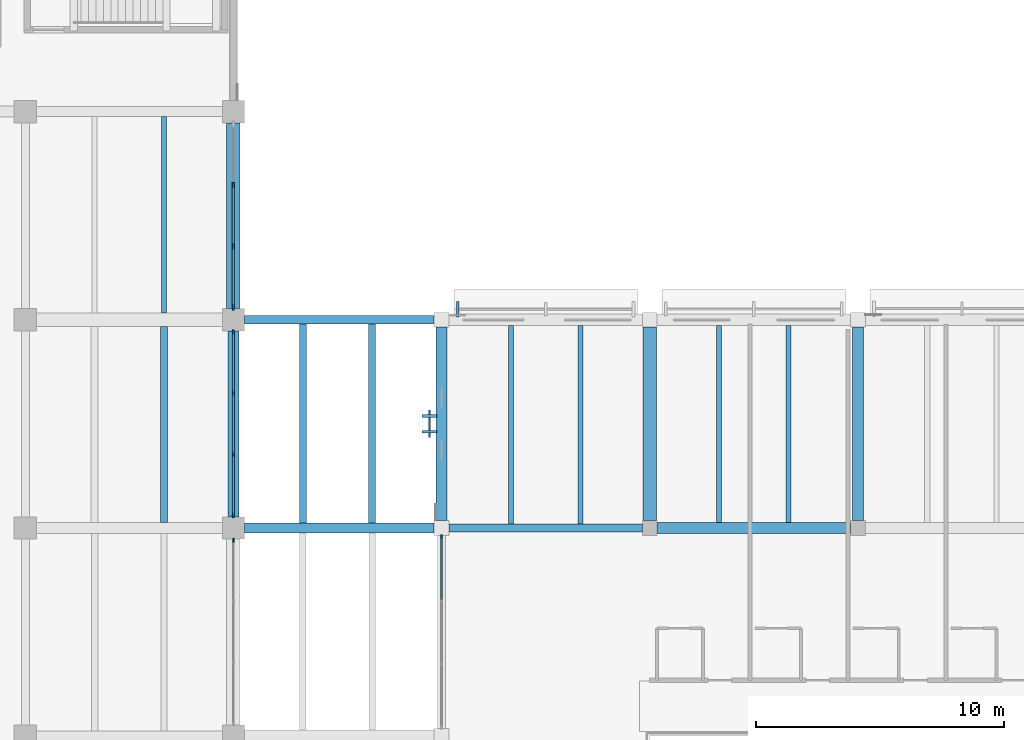
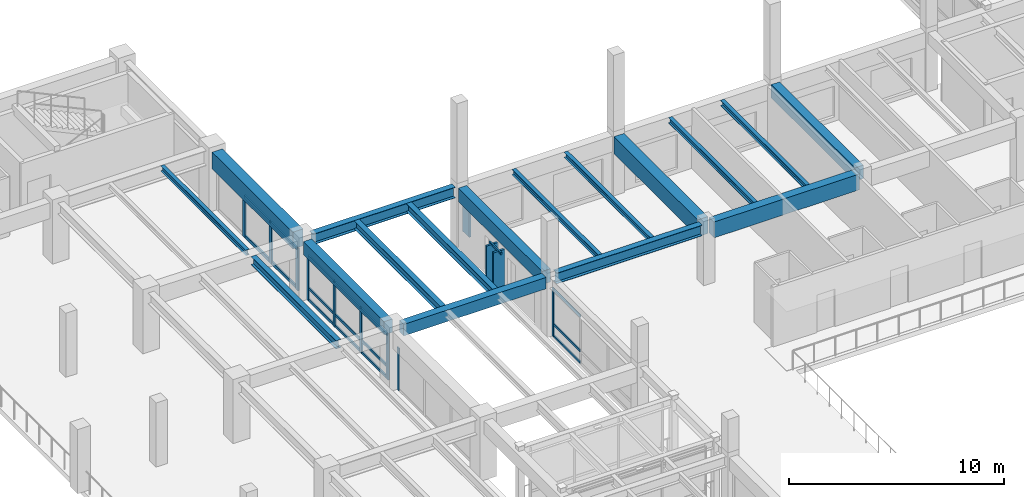
# One storey, part 23 of 118: 29 members, 17 beams, 6 elements without a shape of their own.
"""IFC4 building model written with IfcOpenShell, lengths in metres."""

import ifcopenshell
import ifcopenshell.guid

model = None  # the IFC model being written
_history = None  # IfcOwnerHistory: only IFC2X3 demands one
_inside = {}  # id of a spatial element -> (the spatial element, [elements in it])
_under = {}  # id of a project, library or spatial element -> (it, [spatial elements below it])
_declared = {}  # id of a project -> (the project, [libraries it declares])
_typed = {}  # id of a type object -> (the type object, [elements of that type])
_made_of = {}  # id of a material, layer set ... -> (it, [elements and type objects made of it])


def new_model(schema):
    """Start an empty IFC model of exactly this schema.

    Asked for "IFC4X3", IfcOpenShell would pick the latest addendum, in which some entities
    have other attributes; the version numbers below select the first issue.
    IFC2X3 requires an IfcOwnerHistory on every rooted entity: one is made here for all.
    """
    global model, _history
    if schema == "IFC4X3":
        model = ifcopenshell.file(schema_version=(4, 3, 0, 0))
    else:
        model = ifcopenshell.file(schema=schema)
    _inside.clear()
    _under.clear()
    _declared.clear()
    _typed.clear()
    _made_of.clear()
    _history = None
    if model.schema == "IFC2X3":
        org = make("IfcOrganization", Name="unknown")
        user = make(
            "IfcPersonAndOrganization",
            ThePerson=make("IfcPerson", FamilyName="unknown"),
            TheOrganization=org,
        )
        app = make(
            "IfcApplication",
            ApplicationDeveloper=org,
            Version="unknown",
            ApplicationFullName="unknown",
            ApplicationIdentifier="unknown",
        )
        _history = make(
            "IfcOwnerHistory",
            OwningUser=user,
            OwningApplication=app,
            ChangeAction="ADDED",
            CreationDate=0,
        )
    return model


def make(cls, **values):
    """One entity of the class cls with the attributes given. An attribute that is None is left unset."""
    return model.create_entity(
        cls, **{name: value for name, value in values.items() if value is not None}
    )


def rooted(cls, **values):
    """An entity with a GlobalId (a new one), such as an element, a storey or a relation."""
    return make(cls, GlobalId=ifcopenshell.guid.new(), OwnerHistory=_history, **values)


def si_unit(unit_type, name, prefix=None):
    """IfcSIUnit, for example si_unit("LENGTHUNIT", "METRE", prefix="MILLI")."""
    return make("IfcSIUnit", UnitType=unit_type, Prefix=prefix, Name=name)


def assignment(units):
    """IfcUnitAssignment: the units of a project."""
    return None if units is None else make("IfcUnitAssignment", Units=units)


def point(xyz):
    """IfcCartesianPoint."""
    return None if xyz is None else make("IfcCartesianPoint", Coordinates=xyz)


def direction(xyz):
    """IfcDirection."""
    return None if xyz is None else make("IfcDirection", DirectionRatios=xyz)


def frame(location, z_axis=None, x_axis=None):
    """IfcAxis2Placement3D, a coordinate frame: its origin and axes. An axis left out is left unset."""
    return make(
        "IfcAxis2Placement3D",
        Location=point(location),
        Axis=direction(z_axis),
        RefDirection=direction(x_axis),
    )


def frame_2d(location, x_axis=None):
    """IfcAxis2Placement2D, a coordinate frame in the plane: its origin and x axis."""
    return make(
        "IfcAxis2Placement2D", Location=point(location), RefDirection=direction(x_axis)
    )


def origin():
    """The frame at (0, 0, 0) with its axes left unset."""
    return frame((0.0, 0.0, 0.0))


def origin_2d():
    """The frame at (0, 0) in the plane with its x axis left unset."""
    return frame_2d((0.0, 0.0))


def place(relative_to, where):
    """IfcLocalPlacement: puts the frame where relative to a parent placement (None: the world)."""
    return make(
        "IfcLocalPlacement", PlacementRelTo=relative_to, RelativePlacement=where
    )


def context(
    kind, dimensions, precision=None, world=None, true_north=None, identifier=None
):
    """IfcGeometricRepresentationContext, for example the 3D "Model" context."""
    return make(
        "IfcGeometricRepresentationContext",
        ContextIdentifier=identifier,
        ContextType=kind,
        CoordinateSpaceDimension=dimensions,
        Precision=precision,
        WorldCoordinateSystem=world,
        TrueNorth=true_north,
    )


def subcontext(parent, identifier, kind, view, scale=None):
    """IfcGeometricRepresentationSubContext, for example "Body" below "Model"."""
    return make(
        "IfcGeometricRepresentationSubContext",
        ContextIdentifier=identifier,
        ContextType=kind,
        ParentContext=parent,
        TargetScale=scale,
        TargetView=view,
    )


def project(units=None, contexts=None):
    """IfcProject with its units and contexts."""
    return rooted(
        "IfcProject",
        Name="project",
        RepresentationContexts=contexts,
        UnitsInContext=assignment(units),
    )


def spatial(cls, under=None, at=None, **own):
    """A site, building, storey or space (cls), placed at a placement, below another one or the project."""
    s = rooted(cls, ObjectPlacement=at, **own)
    if under is not None:
        _under.setdefault(under.id(), (under, []))[1].append(s)
    return s


def profile(cls, at=None, kind="AREA", **sizes):
    """A parametric profile (cls). Its sizes go by their IFC names, for example OverallWidth=200.0."""
    return make(cls, ProfileType=kind, Position=at, **sizes)


def rectangle(**sizes):
    """IfcRectangleProfileDef."""
    return profile("IfcRectangleProfileDef", **sizes)


def i_section(**sizes):
    """IfcIShapeProfileDef."""
    return profile("IfcIShapeProfileDef", **sizes)


def extrude(swept, where, along, depth):
    """IfcExtrudedAreaSolid: the profile swept, set in the frame where, extruded along a direction by depth."""
    return make(
        "IfcExtrudedAreaSolid",
        SweptArea=swept,
        Position=where,
        ExtrudedDirection=direction(along),
        Depth=depth,
    )


def shape(context_of_items, identifier, shape_type, items):
    """IfcShapeRepresentation: the items that make up one representation, for example the "Body"."""
    return make(
        "IfcShapeRepresentation",
        ContextOfItems=context_of_items,
        RepresentationIdentifier=identifier,
        RepresentationType=shape_type,
        Items=items,
    )


def material(Name=None, Category=None):
    """IfcMaterial."""
    return make("IfcMaterial", Name=Name, Category=Category)


def material_profile(
    of_material, cross_section, Name=None, Category=None, Priority=None
):
    """IfcMaterialProfile: a cross section and its material."""
    return make(
        "IfcMaterialProfile",
        Name=Name,
        Material=of_material,
        Profile=cross_section,
        Priority=Priority,
        Category=Category,
    )


def profile_set(profiles, Name=None, composite=None):
    """IfcMaterialProfileSet."""
    return make(
        "IfcMaterialProfileSet",
        Name=Name,
        MaterialProfiles=profiles,
        CompositeProfile=composite,
    )


def made_of(thing, what):
    """Note that an element or type object is made of a material, layer set ...; save() writes the relation."""
    if what is not None:
        _made_of.setdefault(what.id(), (what, []))[1].append(thing)
    return thing


def type_object(cls, material=None, **own):
    """A type object (cls), such as IfcWallType, which elements share."""
    return made_of(rooted(cls, **own), material)


def element(
    cls,
    number,
    at=None,
    inside=None,
    cuts=None,
    type_object=None,
    material=None,
    context=None,
    identifier="Body",
    shape_type=None,
    held_by="IfcProductDefinitionShape",
    body=None,
    shapes=None,
    **own,
):
    """One element of the class cls, such as IfcWall. Its Tag is "e" and its number.

    at: its placement. inside: the storey or other place that contains it. cuts: it is an
    opening in that element (IfcRelVoidsElement). A single representation is given by context,
    identifier, shape_type and body (its items); several are given by shapes. held_by: the class
    of the entity that holds the representations. save() writes the other relations.
    """
    e = rooted(cls, Tag="e%d" % number, ObjectPlacement=at, **own)
    if body is not None:
        shapes = [shape(context, identifier, shape_type, body)]
    if shapes is not None:
        e.Representation = make(held_by, Representations=shapes)
    if inside is not None:
        _inside.setdefault(inside.id(), (inside, []))[1].append(e)
    if cuts is not None:
        rooted(
            "IfcRelVoidsElement", RelatingBuildingElement=cuts, RelatedOpeningElement=e
        )
    if type_object is not None:
        _typed.setdefault(type_object.id(), (type_object, []))[1].append(e)
    return made_of(e, material)


def aggregate(whole, parts):
    """IfcRelAggregates: a whole, such as a stair, and the parts it consists of."""
    return rooted("IfcRelAggregates", RelatingObject=whole, RelatedObjects=parts)


def save(model, path):
    """Write the relations noted so far, then the file.

    IfcRelAggregates (storeys below a building ...), IfcRelContainedInSpatialStructure (elements
    in a storey), IfcRelDefinesByType, IfcRelAssociatesMaterial and IfcRelDeclares: one each for
    every whole, place, type object, material and project.
    """
    for whole, parts in _under.values():
        aggregate(whole, parts)
    for where, things in _inside.values():
        rooted(
            "IfcRelContainedInSpatialStructure",
            RelatedElements=things,
            RelatingStructure=where,
        )
    for kind, things in _typed.values():
        rooted("IfcRelDefinesByType", RelatedObjects=things, RelatingType=kind)
    for what, things in _made_of.values():
        rooted("IfcRelAssociatesMaterial", RelatedObjects=things, RelatingMaterial=what)
    for by, libraries in _declared.values():
        rooted("IfcRelDeclares", RelatingContext=by, RelatedDefinitions=libraries)
    model.write(path)


model = new_model("IFC4")

# Units and contexts
model_context = context("Model", 3, precision=1e-05, world=origin(), true_north=direction((0.0, 1.0)))
body_context = subcontext(model_context, "Body", "Model", "MODEL_VIEW")
ifc_project = project(units=[si_unit("LENGTHUNIT", "METRE"), si_unit("AREAUNIT", "SQUARE_METRE"), si_unit("VOLUMEUNIT", "CUBIC_METRE"), si_unit("PLANEANGLEUNIT", "RADIAN"), si_unit("MASSUNIT", "GRAM", prefix="KILO")], contexts=[model_context])

# Site, building, storey
site_placement = place(None, origin())
site = spatial("IfcSite", under=ifc_project, at=site_placement, CompositionType="ELEMENT")
building_placement = place(site_placement, origin())
building = spatial("IfcBuilding", under=site, at=building_placement, Name="Cumbredor Promenade Congress Hotel", CompositionType="ELEMENT")
storey_placement = place(building_placement, frame((0.0, 0.0, 3.919921875)))
storey = spatial("IfcBuildingStorey", under=building, at=storey_placement, Name="L01", CompositionType="ELEMENT", Elevation=3.919921875)

# Beams
ifc_material_1 = material(Name="Concrete C40/50", Category="concrete")
ifc_material_profile_1 = material_profile(ifc_material_1, rectangle(XDim=0.39990234375, YDim=0.64990234375, at=origin_2d()), Name="RC BEAM 400x650")
ifc_profile_set_1 = profile_set([ifc_material_profile_1], Name="Concrete C40/50")
beam_type_1 = type_object("IfcBeamType", Name="BM-RC-400x650", PredefinedType="BEAM", material=ifc_profile_set_1)
beam_1_placement = place(storey_placement, frame((67.64990234375, 42.0, 3.03515625), z_axis=(1.0, 0.0, 0.0), x_axis=(0.0, 1.0, 0.0)))
element("IfcBeam", 1, at=beam_1_placement, inside=storey, type_object=beam_type_1, Name="L02 X-Grid Beam 121", PredefinedType="BEAM", context=body_context, shape_type="SweptSolid", body=[
    extrude(rectangle(XDim=0.39990234375, YDim=0.64990234375, at=origin_2d()), origin(), (0.0, 0.0, 1.0), 7.650146484375),
])
ifc_material_profile_2 = material_profile(ifc_material_1, rectangle(XDim=0.449951171875, YDim=0.75, at=origin_2d()), Name="RC BEAM 450x750")
ifc_profile_set_2 = profile_set([ifc_material_profile_2], Name="Concrete C40/50")
beam_type_2 = type_object("IfcBeamType", Name="BM-RC-450x750", PredefinedType="BEAM", material=ifc_profile_set_2)
beam_2_placement = place(storey_placement, frame((67.199951171875, 42.449951171875, 2.985107421875), z_axis=(0.0, 1.0, 0.0), x_axis=(-1.0, 0.0, 0.0)))
element("IfcBeam", 2, at=beam_2_placement, inside=storey, type_object=beam_type_2, Name="L02 Y-Grid Beam 122", PredefinedType="BEAM", context=body_context, shape_type="SweptSolid", body=[
    extrude(rectangle(XDim=0.449951171875, YDim=0.75, at=origin_2d()), origin(), (0.0, 0.0, 1.0), 7.5),
])
for number, where, z_axis, x_axis, name in (
    (3, (75.60009765625, 42.300048828125, 2.985107421875), (0.0, 1.0, 0.0), (-1.0, 0.0, 0.0), "L02 Y-Grid Beam 142"),
    (4, (92.39990234375, 42.300048828125, 2.985107421875), (0.0, 1.0, 0.0), (-1.0, 0.0, 0.0), "L02 Y-Grid Beam 170"),
):
    element("IfcBeam", number, at=place(storey_placement, frame(where, z_axis=z_axis, x_axis=x_axis)), inside=storey, type_object=beam_type_2, Name=name, PredefinedType="BEAM", context=body_context, shape_type="SweptSolid", body=[
        extrude(rectangle(XDim=0.449951171875, YDim=0.75, at=origin_2d()), origin(), (0.0, 0.0, 1.0), 7.800048828125),
    ])
ifc_material_profile_3 = material_profile(ifc_material_1, rectangle(XDim=0.550048828125, YDim=0.949951171875, at=origin_2d()), Name="RC BEAM 550x950")
ifc_profile_set_3 = profile_set([ifc_material_profile_3], Name="Concrete C40/50")
beam_type_3 = type_object("IfcBeamType", Name="BM-RC-550x950", PredefinedType="BEAM", material=ifc_profile_set_3)
beam_3_placement = place(storey_placement, frame((67.199951171875, 50.85009765625, 2.885009765625), z_axis=(0.0, 1.0, 0.0), x_axis=(-1.0, 0.0, 0.0)))
element("IfcBeam", 5, at=beam_3_placement, inside=storey, type_object=beam_type_3, Name="L02 Y-Grid Beam 124", PredefinedType="BEAM", context=body_context, shape_type="SweptSolid", body=[
    extrude(rectangle(XDim=0.550048828125, YDim=0.949951171875, at=origin_2d()), origin(), (0.0, 0.0, 1.0), 7.5),
])
beam_4_placement = place(storey_placement, frame((84.0, 42.300048828125, 2.885009765625), z_axis=(0.0, 1.0, 0.0), x_axis=(-1.0, 0.0, 0.0)))
element("IfcBeam", 6, at=beam_4_placement, inside=storey, type_object=beam_type_3, Name="L02 Y-Grid Beam 156", PredefinedType="BEAM", context=body_context, shape_type="SweptSolid", body=[
    extrude(rectangle(XDim=0.550048828125, YDim=0.949951171875, at=origin_2d()), origin(), (0.0, 0.0, 1.0), 7.800048828125),
])
ifc_material_2 = material(Name="Steel ASTM A992 Grade 50", Category="steel")
ifc_material_profile_4 = material_profile(ifc_material_2, i_section(OverallWidth=0.323974609375, OverallDepth=0.611083984375, WebThickness=0.0126953125, FlangeThickness=0.01904296875, at=origin_2d()), Name="W24X104")
ifc_profile_set_4 = profile_set([ifc_material_profile_4], Name="Steel ASTM A992 Grade 50")
beam_type_4 = type_object("IfcBeamType", Name="BM-W24X104", PredefinedType="BEAM", material=ifc_profile_set_4)
beam_5_placement = place(storey_placement, frame((67.64990234375, 50.39990234375, 3.0546875), z_axis=(1.0, 0.0, 0.0), x_axis=(0.0, 1.0, 0.0)))
element("IfcBeam", 7, at=beam_5_placement, inside=storey, type_object=beam_type_4, Name="L02 X-Grid Beam 123", PredefinedType="BEAM", context=body_context, shape_type="SweptSolid", body=[
    extrude(i_section(OverallWidth=0.323974609375, OverallDepth=0.611083984375, WebThickness=0.0126953125, FlangeThickness=0.01904296875, at=origin_2d()), origin(), (0.0, 0.0, 1.0), 7.650146484375),
])
beam_6_placement = place(storey_placement, frame((75.89990234375, 42.0, 3.0546875), z_axis=(1.0, 0.0, 0.0), x_axis=(0.0, 1.0, 0.0)))
element("IfcBeam", 8, at=beam_6_placement, inside=storey, type_object=beam_type_4, Name="L02 X-Grid Beam 141", PredefinedType="BEAM", context=body_context, shape_type="SweptSolid", body=[
    extrude(i_section(OverallWidth=0.323974609375, OverallDepth=0.611083984375, WebThickness=0.0126953125, FlangeThickness=0.01904296875, at=origin_2d()), origin(), (0.0, 0.0, 1.0), 7.800048828125),
])

# Curtain wall, member
ifc_material_3 = material(Name="Thermally broken anodized aluminium and low-E glass", Category="aluminium")
curtain_wall_type_1 = type_object("IfcCurtainWallType", Name="Unitised Bronze Curtain Wall CW-01", PredefinedType="NOTDEFINED", material=ifc_material_3)
curtain_wall_1_placement = place(storey_placement, origin())
curtain_wall_1 = element("IfcCurtainWall", 9, at=curtain_wall_1_placement, inside=storey, type_object=curtain_wall_type_1, Name="L01 Plenary Congress Hall East Curtain Wall 4", PredefinedType="NOTDEFINED")
ifc_material_4 = material(Name="Thermally broken anodized aluminium", Category="aluminium")
ifc_material_profile_5 = material_profile(ifc_material_4, rectangle(XDim=0.06494140625, YDim=0.159912109375, at=origin_2d()), Name="ALU MULLION 65x160")
ifc_profile_set_5 = profile_set([ifc_material_profile_5], Name="Thermally broken anodized aluminium")
member_type_1 = type_object("IfcMemberType", Name="Curtain Wall Mullion ML-01", PredefinedType="MULLION", material=ifc_profile_set_5)
member_1_placement = place(storey_placement, frame((67.199951171875, 41.4951171875, -0.0078125), z_axis=(0.0, 0.0, 1.0), x_axis=(1.0, 0.0, 0.0)))
member_1 = element("IfcMember", 10, at=member_1_placement, type_object=member_type_1, Name="L01 Plenary Congress Hall East Curtain Wall 4 Mullion 4", PredefinedType="MULLION", context=body_context, shape_type="SweptSolid", body=[
    extrude(rectangle(XDim=0.06494140625, YDim=0.159912109375, at=origin_2d()), origin(), (0.0, 0.0, 1.0), 2.410888671875),
])
aggregate(curtain_wall_1, [member_1])

curtain_wall_2_placement = place(storey_placement, origin())
curtain_wall_2 = element("IfcCurtainWall", 11, at=curtain_wall_2_placement, inside=storey, type_object=curtain_wall_type_1, Name="L01 Thermal Spa and Hydrotherapy Pavilion West Curtain Wall 4", PredefinedType="NOTDEFINED")
member_2_placement = place(storey_placement, frame((75.60009765625, 41.64501953125, -0.0078125), z_axis=(0.0, 0.0, 1.0), x_axis=(1.0, 0.0, 0.0)))
member_2 = element("IfcMember", 12, at=member_2_placement, type_object=member_type_1, Name="L01 Thermal Spa and Hydrotherapy Pavilion West Curtain Wall 4 Mullion 4", PredefinedType="MULLION", context=body_context, shape_type="SweptSolid", body=[
    extrude(rectangle(XDim=0.06494140625, YDim=0.159912109375, at=origin_2d()), origin(), (0.0, 0.0, 1.0), 2.75),
])

# Curtain wall, members
curtain_wall_3_placement = place(storey_placement, origin())
curtain_wall_3 = element("IfcCurtainWall", 13, at=curtain_wall_3_placement, inside=storey, type_object=curtain_wall_type_1, Name="L01 Plenary Congress Hall East Curtain Wall 5", PredefinedType="NOTDEFINED")
ifc_material_profile_6 = material_profile(ifc_material_4, rectangle(XDim=0.074951171875, YDim=0.199951171875, at=origin_2d()), Name="ALU MULLION 75x200")
ifc_profile_set_6 = profile_set([ifc_material_profile_6], Name="Thermally broken anodized aluminium")
member_type_2 = type_object("IfcMemberType", Name="Curtain Wall Mullion ML-02", PredefinedType="MULLION", material=ifc_profile_set_6)
member_3_placement = place(storey_placement, frame((67.199951171875, 42.5048828125, -0.0078125), z_axis=(0.0, 0.0, 1.0), x_axis=(1.0, 0.0, 0.0)))
member_3 = element("IfcMember", 14, at=member_3_placement, type_object=member_type_2, Name="L01 Plenary Congress Hall East Curtain Wall 5 Mullion 1", PredefinedType="MULLION", context=body_context, shape_type="SweptSolid", body=[
    extrude(rectangle(XDim=0.074951171875, YDim=0.199951171875, at=origin_2d()), origin(), (0.0, 0.0, 1.0), 2.61083984375),
])
member_4_placement = place(storey_placement, frame((67.199951171875, 44.96826171875, -0.0078125), z_axis=(0.0, 0.0, 1.0), x_axis=(1.0, 0.0, 0.0)))
member_4 = element("IfcMember", 15, at=member_4_placement, type_object=member_type_2, Name="L01 Plenary Congress Hall East Curtain Wall 5 Mullion 2", PredefinedType="MULLION", context=body_context, shape_type="SweptSolid", body=[
    extrude(rectangle(XDim=0.074951171875, YDim=0.199951171875, at=origin_2d()), origin(), (0.0, 0.0, 1.0), 2.61083984375),
])
member_5_placement = place(storey_placement, frame((67.199951171875, 47.431640625, -0.0078125), z_axis=(0.0, 0.0, 1.0), x_axis=(1.0, 0.0, 0.0)))
member_5 = element("IfcMember", 16, at=member_5_placement, type_object=member_type_2, Name="L01 Plenary Congress Hall East Curtain Wall 5 Mullion 3", PredefinedType="MULLION", context=body_context, shape_type="SweptSolid", body=[
    extrude(rectangle(XDim=0.074951171875, YDim=0.199951171875, at=origin_2d()), origin(), (0.0, 0.0, 1.0), 2.61083984375),
])
member_6_placement = place(storey_placement, frame((67.199951171875, 49.89501953125, -0.0078125), z_axis=(0.0, 0.0, 1.0), x_axis=(1.0, 0.0, 0.0)))
member_6 = element("IfcMember", 17, at=member_6_placement, type_object=member_type_2, Name="L01 Plenary Congress Hall East Curtain Wall 5 Mullion 4", PredefinedType="MULLION", context=body_context, shape_type="SweptSolid", body=[
    extrude(rectangle(XDim=0.074951171875, YDim=0.199951171875, at=origin_2d()), origin(), (0.0, 0.0, 1.0), 2.61083984375),
])

curtain_wall_4_placement = place(storey_placement, origin())
curtain_wall_4 = element("IfcCurtainWall", 18, at=curtain_wall_4_placement, inside=storey, type_object=curtain_wall_type_1, Name="L01 Plenary Congress Hall East Curtain Wall 6", PredefinedType="NOTDEFINED")
ifc_material_profile_7 = material_profile(ifc_material_4, rectangle(XDim=0.080078125, YDim=0.239990234375, at=origin_2d()), Name="ALU MULLION 80x240")
ifc_profile_set_7 = profile_set([ifc_material_profile_7], Name="Thermally broken anodized aluminium")
member_type_3 = type_object("IfcMemberType", Name="Curtain Wall Mullion ML-03", PredefinedType="MULLION", material=ifc_profile_set_7)
member_7_placement = place(storey_placement, frame((67.199951171875, 50.905029296875, -0.0078125), z_axis=(0.0, 0.0, 1.0), x_axis=(1.0, 0.0, 0.0)))
member_7 = element("IfcMember", 19, at=member_7_placement, type_object=member_type_3, Name="L01 Plenary Congress Hall East Curtain Wall 6 Mullion 1", PredefinedType="MULLION", context=body_context, shape_type="SweptSolid", body=[
    extrude(rectangle(XDim=0.080078125, YDim=0.239990234375, at=origin_2d()), origin(), (0.0, 0.0, 1.0), 2.410888671875),
])
member_8_placement = place(storey_placement, frame((67.199951171875, 53.368408203125, -0.0078125), z_axis=(0.0, 0.0, 1.0), x_axis=(1.0, 0.0, 0.0)))
member_8 = element("IfcMember", 20, at=member_8_placement, type_object=member_type_3, Name="L01 Plenary Congress Hall East Curtain Wall 6 Mullion 2", PredefinedType="MULLION", context=body_context, shape_type="SweptSolid", body=[
    extrude(rectangle(XDim=0.080078125, YDim=0.239990234375, at=origin_2d()), origin(), (0.0, 0.0, 1.0), 2.410888671875),
])
member_9_placement = place(storey_placement, frame((67.199951171875, 55.831787109375, -0.0078125), z_axis=(0.0, 0.0, 1.0), x_axis=(1.0, 0.0, 0.0)))
member_9 = element("IfcMember", 21, at=member_9_placement, type_object=member_type_3, Name="L01 Plenary Congress Hall East Curtain Wall 6 Mullion 3", PredefinedType="MULLION", context=body_context, shape_type="SweptSolid", body=[
    extrude(rectangle(XDim=0.080078125, YDim=0.239990234375, at=origin_2d()), origin(), (0.0, 0.0, 1.0), 2.410888671875),
])

# Member
ifc_material_profile_8 = material_profile(ifc_material_4, rectangle(XDim=0.06494140625, YDim=0.1298828125, at=origin_2d()), Name="ALU TRANSOM 65x130")
ifc_profile_set_8 = profile_set([ifc_material_profile_8], Name="Thermally broken anodized aluminium")
member_type_4 = type_object("IfcMemberType", Name="Curtain Wall Transom TR-01", PredefinedType="USERDEFINED", material=ifc_profile_set_8)
member_10_placement = place(storey_placement, frame((75.60009765625, 39.1142578125, 0.06005859375), z_axis=(0.0, 1.0, 0.0), x_axis=(-1.0, 0.0, 0.0)))
member_10 = element("IfcMember", 22, at=member_10_placement, type_object=member_type_4, Name="L01 Thermal Spa and Hydrotherapy Pavilion West Curtain Wall 4 Transom 3.1", ObjectType="TRANSOM", PredefinedType="USERDEFINED", context=body_context, shape_type="SweptSolid", body=[
    extrude(rectangle(XDim=0.06494140625, YDim=0.1298828125, at=origin_2d()), origin(), (0.0, 0.0, 1.0), 2.498291015625),
])

member_11_placement = place(storey_placement, frame((75.60009765625, 39.1142578125, 0.719970703125), z_axis=(0.0, 1.0, 0.0), x_axis=(-1.0, 0.0, 0.0)))
member_11 = element("IfcMember", 23, at=member_11_placement, type_object=member_type_4, Name="L01 Thermal Spa and Hydrotherapy Pavilion West Curtain Wall 4 Transom 3.2", ObjectType="TRANSOM", PredefinedType="USERDEFINED", context=body_context, shape_type="SweptSolid", body=[
    extrude(rectangle(XDim=0.06494140625, YDim=0.1298828125, at=origin_2d()), origin(), (0.0, 0.0, 1.0), 2.498291015625),
])

member_12_placement = place(storey_placement, frame((75.60009765625, 39.1142578125, 2.670166015625), z_axis=(0.0, 1.0, 0.0), x_axis=(-1.0, 0.0, 0.0)))
member_12 = element("IfcMember", 24, at=member_12_placement, type_object=member_type_4, Name="L01 Thermal Spa and Hydrotherapy Pavilion West Curtain Wall 4 Transom 3.3", ObjectType="TRANSOM", PredefinedType="USERDEFINED", context=body_context, shape_type="SweptSolid", body=[
    extrude(rectangle(XDim=0.06494140625, YDim=0.1298828125, at=origin_2d()), origin(), (0.0, 0.0, 1.0), 2.498291015625),
])

aggregate(curtain_wall_2, [member_2, member_10, member_11, member_12])

# Curtain wall, member
curtain_wall_type_2 = type_object("IfcCurtainWallType", Name="Solar Brise-Soleil Screen Assembly CW-07", PredefinedType="NOTDEFINED", material=ifc_material_3)
curtain_wall_5_placement = place(storey_placement, origin())
curtain_wall_5 = element("IfcCurtainWall", 25, at=curtain_wall_5_placement, inside=storey, type_object=curtain_wall_type_2, Name="L01 Pier Brise-Soleil Screen 0208", PredefinedType="NOTDEFINED")
member_13_placement = place(storey_placement, frame((75.114990234375, 45.64990234375, 2.43505859375), z_axis=(0.0, 1.0, 0.0), x_axis=(-1.0, 0.0, 0.0)))
member_13 = element("IfcMember", 26, at=member_13_placement, type_object=member_type_4, Name="L01 Pier Brise-Soleil Header 0210", ObjectType="TRANSOM", PredefinedType="USERDEFINED", context=body_context, shape_type="SweptSolid", body=[
    extrude(rectangle(XDim=0.06494140625, YDim=0.1298828125, at=origin_2d()), origin(), (0.0, 0.0, 1.0), 1.10009765625),
])

# Member
ifc_material_profile_9 = material_profile(ifc_material_4, rectangle(XDim=0.074951171875, YDim=0.14990234375, at=origin_2d()), Name="ALU TRANSOM 75x150")
ifc_profile_set_9 = profile_set([ifc_material_profile_9], Name="Thermally broken anodized aluminium")
member_type_5 = type_object("IfcMemberType", Name="Curtain Wall Transom TR-02", PredefinedType="USERDEFINED", material=ifc_profile_set_9)
member_14_placement = place(storey_placement, frame((67.199951171875, 42.54248046875, 0.080078125), z_axis=(0.0, 1.0, 0.0), x_axis=(-1.0, 0.0, 0.0)))
member_14 = element("IfcMember", 27, at=member_14_placement, type_object=member_type_5, Name="L01 Plenary Congress Hall East Curtain Wall 5 Transom 1.1", ObjectType="TRANSOM", PredefinedType="USERDEFINED", context=body_context, shape_type="SweptSolid", body=[
    extrude(rectangle(XDim=0.074951171875, YDim=0.14990234375, at=origin_2d()), origin(), (0.0, 0.0, 1.0), 2.388427734375),
])

member_15_placement = place(storey_placement, frame((67.199951171875, 42.54248046875, 0.719970703125), z_axis=(0.0, 1.0, 0.0), x_axis=(-1.0, 0.0, 0.0)))
member_15 = element("IfcMember", 28, at=member_15_placement, type_object=member_type_5, Name="L01 Plenary Congress Hall East Curtain Wall 5 Transom 1.2", ObjectType="TRANSOM", PredefinedType="USERDEFINED", context=body_context, shape_type="SweptSolid", body=[
    extrude(rectangle(XDim=0.074951171875, YDim=0.14990234375, at=origin_2d()), origin(), (0.0, 0.0, 1.0), 2.388427734375),
])

member_16_placement = place(storey_placement, frame((67.199951171875, 42.54248046875, 2.52001953125), z_axis=(0.0, 1.0, 0.0), x_axis=(-1.0, 0.0, 0.0)))
member_16 = element("IfcMember", 29, at=member_16_placement, type_object=member_type_5, Name="L01 Plenary Congress Hall East Curtain Wall 5 Transom 1.3", ObjectType="TRANSOM", PredefinedType="USERDEFINED", context=body_context, shape_type="SweptSolid", body=[
    extrude(rectangle(XDim=0.074951171875, YDim=0.14990234375, at=origin_2d()), origin(), (0.0, 0.0, 1.0), 2.388427734375),
])

member_17_placement = place(storey_placement, frame((67.199951171875, 45.005859375, 0.080078125), z_axis=(0.0, 1.0, 0.0), x_axis=(-1.0, 0.0, 0.0)))
member_17 = element("IfcMember", 30, at=member_17_placement, type_object=member_type_5, Name="L01 Plenary Congress Hall East Curtain Wall 5 Transom 2.1", ObjectType="TRANSOM", PredefinedType="USERDEFINED", context=body_context, shape_type="SweptSolid", body=[
    extrude(rectangle(XDim=0.074951171875, YDim=0.14990234375, at=origin_2d()), origin(), (0.0, 0.0, 1.0), 2.388427734375),
])

member_18_placement = place(storey_placement, frame((67.199951171875, 45.005859375, 0.719970703125), z_axis=(0.0, 1.0, 0.0), x_axis=(-1.0, 0.0, 0.0)))
member_18 = element("IfcMember", 31, at=member_18_placement, type_object=member_type_5, Name="L01 Plenary Congress Hall East Curtain Wall 5 Transom 2.2", ObjectType="TRANSOM", PredefinedType="USERDEFINED", context=body_context, shape_type="SweptSolid", body=[
    extrude(rectangle(XDim=0.074951171875, YDim=0.14990234375, at=origin_2d()), origin(), (0.0, 0.0, 1.0), 2.388427734375),
])

member_19_placement = place(storey_placement, frame((67.199951171875, 45.005859375, 2.52001953125), z_axis=(0.0, 1.0, 0.0), x_axis=(-1.0, 0.0, 0.0)))
member_19 = element("IfcMember", 32, at=member_19_placement, type_object=member_type_5, Name="L01 Plenary Congress Hall East Curtain Wall 5 Transom 2.3", ObjectType="TRANSOM", PredefinedType="USERDEFINED", context=body_context, shape_type="SweptSolid", body=[
    extrude(rectangle(XDim=0.074951171875, YDim=0.14990234375, at=origin_2d()), origin(), (0.0, 0.0, 1.0), 2.388427734375),
])

member_20_placement = place(storey_placement, frame((67.199951171875, 47.46923828125, 0.080078125), z_axis=(0.0, 1.0, 0.0), x_axis=(-1.0, 0.0, 0.0)))
member_20 = element("IfcMember", 33, at=member_20_placement, type_object=member_type_5, Name="L01 Plenary Congress Hall East Curtain Wall 5 Transom 3.1", ObjectType="TRANSOM", PredefinedType="USERDEFINED", context=body_context, shape_type="SweptSolid", body=[
    extrude(rectangle(XDim=0.074951171875, YDim=0.14990234375, at=origin_2d()), origin(), (0.0, 0.0, 1.0), 2.38818359375),
])

member_21_placement = place(storey_placement, frame((67.199951171875, 47.46923828125, 0.719970703125), z_axis=(0.0, 1.0, 0.0), x_axis=(-1.0, 0.0, 0.0)))
member_21 = element("IfcMember", 34, at=member_21_placement, type_object=member_type_5, Name="L01 Plenary Congress Hall East Curtain Wall 5 Transom 3.2", ObjectType="TRANSOM", PredefinedType="USERDEFINED", context=body_context, shape_type="SweptSolid", body=[
    extrude(rectangle(XDim=0.074951171875, YDim=0.14990234375, at=origin_2d()), origin(), (0.0, 0.0, 1.0), 2.38818359375),
])

member_22_placement = place(storey_placement, frame((67.199951171875, 47.46923828125, 2.52001953125), z_axis=(0.0, 1.0, 0.0), x_axis=(-1.0, 0.0, 0.0)))
member_22 = element("IfcMember", 35, at=member_22_placement, type_object=member_type_5, Name="L01 Plenary Congress Hall East Curtain Wall 5 Transom 3.3", ObjectType="TRANSOM", PredefinedType="USERDEFINED", context=body_context, shape_type="SweptSolid", body=[
    extrude(rectangle(XDim=0.074951171875, YDim=0.14990234375, at=origin_2d()), origin(), (0.0, 0.0, 1.0), 2.38818359375),
])

aggregate(curtain_wall_3, [member_3, member_4, member_5, member_6, member_14, member_15, member_16, member_17, member_18, member_19, member_20, member_21, member_22])

ifc_material_profile_10 = material_profile(ifc_material_4, rectangle(XDim=0.080078125, YDim=0.179931640625, at=origin_2d()), Name="ALU TRANSOM 80x180")
ifc_profile_set_10 = profile_set([ifc_material_profile_10], Name="Thermally broken anodized aluminium")
member_type_6 = type_object("IfcMemberType", Name="Curtain Wall Transom TR-03", PredefinedType="USERDEFINED", material=ifc_profile_set_10)
member_23_placement = place(storey_placement, frame((67.199951171875, 50.945068359375, 0.090087890625), z_axis=(0.0, 1.0, 0.0), x_axis=(-1.0, 0.0, 0.0)))
member_23 = element("IfcMember", 36, at=member_23_placement, type_object=member_type_6, Name="L01 Plenary Congress Hall East Curtain Wall 6 Transom 1.1", ObjectType="TRANSOM", PredefinedType="USERDEFINED", context=body_context, shape_type="SweptSolid", body=[
    extrude(rectangle(XDim=0.080078125, YDim=0.179931640625, at=origin_2d()), origin(), (0.0, 0.0, 1.0), 2.38330078125),
])

member_24_placement = place(storey_placement, frame((67.199951171875, 50.945068359375, 2.31005859375), z_axis=(0.0, 1.0, 0.0), x_axis=(-1.0, 0.0, 0.0)))
member_24 = element("IfcMember", 37, at=member_24_placement, type_object=member_type_6, Name="L01 Plenary Congress Hall East Curtain Wall 6 Transom 1.2", ObjectType="TRANSOM", PredefinedType="USERDEFINED", context=body_context, shape_type="SweptSolid", body=[
    extrude(rectangle(XDim=0.080078125, YDim=0.179931640625, at=origin_2d()), origin(), (0.0, 0.0, 1.0), 2.38330078125),
])

member_25_placement = place(storey_placement, frame((67.199951171875, 53.408203125, 0.090087890625), z_axis=(0.0, 1.0, 0.0), x_axis=(-1.0, 0.0, 0.0)))
member_25 = element("IfcMember", 38, at=member_25_placement, type_object=member_type_6, Name="L01 Plenary Congress Hall East Curtain Wall 6 Transom 2.1", ObjectType="TRANSOM", PredefinedType="USERDEFINED", context=body_context, shape_type="SweptSolid", body=[
    extrude(rectangle(XDim=0.080078125, YDim=0.179931640625, at=origin_2d()), origin(), (0.0, 0.0, 1.0), 2.383544921875),
])

member_26_placement = place(storey_placement, frame((67.199951171875, 53.408203125, 2.31005859375), z_axis=(0.0, 1.0, 0.0), x_axis=(-1.0, 0.0, 0.0)))
member_26 = element("IfcMember", 39, at=member_26_placement, type_object=member_type_6, Name="L01 Plenary Congress Hall East Curtain Wall 6 Transom 2.2", ObjectType="TRANSOM", PredefinedType="USERDEFINED", context=body_context, shape_type="SweptSolid", body=[
    extrude(rectangle(XDim=0.080078125, YDim=0.179931640625, at=origin_2d()), origin(), (0.0, 0.0, 1.0), 2.383544921875),
])

aggregate(curtain_wall_4, [member_7, member_8, member_9, member_23, member_24, member_25, member_26])

# Beams
ifc_material_profile_11 = material_profile(ifc_material_2, i_section(OverallWidth=0.202880859375, OverallDepth=0.302978515625, WebThickness=0.007568359375, FlangeThickness=0.01318359375, at=origin_2d()), Name="W12X40")
ifc_profile_set_11 = profile_set([ifc_material_profile_11], Name="Steel ASTM A992 Grade 50")
beam_type_5 = type_object("IfcBeamType", Name="JST-W12X40", PredefinedType="JOIST", material=ifc_profile_set_11)
beam_7_placement = place(storey_placement, frame((64.39990234375, 50.675048828125, 3.20849609375), z_axis=(0.0, 1.0, 0.0), x_axis=(-1.0, 0.0, 0.0)))
element("IfcBeam", 40, at=beam_7_placement, inside=storey, type_object=beam_type_5, Name="L02 Secondary Floor Joist 0053", PredefinedType="JOIST", context=body_context, shape_type="SweptSolid", body=[
    extrude(i_section(OverallWidth=0.202880859375, OverallDepth=0.302978515625, WebThickness=0.007568359375, FlangeThickness=0.01318359375, at=origin_2d()), origin(), (0.0, 0.0, 1.0), 7.925048828125),
])
for number, where, z_axis, x_axis, name in (
    (41, (78.39990234375, 42.162109375, 3.20849609375), (0.0, 1.0, 0.0), (-1.0, 0.0, 0.0), "L02 Secondary Floor Joist 0082"),
    (42, (81.199951171875, 42.162109375, 3.20849609375), (0.0, 1.0, 0.0), (-1.0, 0.0, 0.0), "L02 Secondary Floor Joist 0083"),
):
    element("IfcBeam", number, at=place(storey_placement, frame(where, z_axis=z_axis, x_axis=x_axis)), inside=storey, type_object=beam_type_5, Name=name, PredefinedType="JOIST", context=body_context, shape_type="SweptSolid", body=[
        extrude(i_section(OverallWidth=0.202880859375, OverallDepth=0.302978515625, WebThickness=0.007568359375, FlangeThickness=0.01318359375, at=origin_2d()), origin(), (0.0, 0.0, 1.0), 8.012939453125),
    ])
for number, where, z_axis, x_axis, name in (
    (43, (86.800048828125, 42.22509765625, 3.20849609375), (0.0, 1.0, 0.0), (-1.0, 0.0, 0.0), "L02 Secondary Floor Joist 0092"),
    (44, (89.60009765625, 42.22509765625, 3.20849609375), (0.0, 1.0, 0.0), (-1.0, 0.0, 0.0), "L02 Secondary Floor Joist 0093"),
):
    element("IfcBeam", number, at=place(storey_placement, frame(where, z_axis=z_axis, x_axis=x_axis)), inside=storey, type_object=beam_type_5, Name=name, PredefinedType="JOIST", context=body_context, shape_type="SweptSolid", body=[
        extrude(i_section(OverallWidth=0.202880859375, OverallDepth=0.302978515625, WebThickness=0.007568359375, FlangeThickness=0.01318359375, at=origin_2d()), origin(), (0.0, 0.0, 1.0), 7.949951171875),
    ])
ifc_material_profile_12 = material_profile(ifc_material_2, i_section(OverallWidth=0.280029296875, OverallDepth=0.462890625, WebThickness=0.0107421875, FlangeThickness=0.017333984375, at=origin_2d()), Name="W18X76")
ifc_profile_set_12 = profile_set([ifc_material_profile_12], Name="Steel ASTM A992 Grade 50")
beam_type_6 = type_object("IfcBeamType", Name="JST-W18X76", PredefinedType="JOIST", material=ifc_profile_set_12)
beam_8_placement = place(storey_placement, frame((64.39990234375, 42.22509765625, 3.128662109375), z_axis=(0.0, 1.0, 0.0), x_axis=(-1.0, 0.0, 0.0)))
element("IfcBeam", 45, at=beam_8_placement, inside=storey, type_object=beam_type_6, Name="L02 Secondary Floor Joist 0051", PredefinedType="JOIST", context=body_context, shape_type="SweptSolid", body=[
    extrude(i_section(OverallWidth=0.280029296875, OverallDepth=0.462890625, WebThickness=0.0107421875, FlangeThickness=0.017333984375, at=origin_2d()), origin(), (0.0, 0.0, 1.0), 7.89990234375),
])
for number, where, z_axis, x_axis, name in (
    (46, (70.0, 42.199951171875, 3.128662109375), (0.0, 1.0, 0.0), (-1.0, 0.0, 0.0), "L02 Secondary Floor Joist 0070"),
    (47, (72.800048828125, 42.199951171875, 3.128662109375), (0.0, 1.0, 0.0), (-1.0, 0.0, 0.0), "L02 Secondary Floor Joist 0071"),
):
    element("IfcBeam", number, at=place(storey_placement, frame(where, z_axis=z_axis, x_axis=x_axis)), inside=storey, type_object=beam_type_6, Name=name, PredefinedType="JOIST", context=body_context, shape_type="SweptSolid", body=[
        extrude(i_section(OverallWidth=0.280029296875, OverallDepth=0.462890625, WebThickness=0.0107421875, FlangeThickness=0.017333984375, at=origin_2d()), origin(), (0.0, 0.0, 1.0), 8.0380859375),
    ])
ifc_material_profile_13 = material_profile(ifc_material_1, rectangle(XDim=0.449951171875, YDim=0.89990234375, at=origin_2d()), Name="RC SPANDREL 450x900")
ifc_profile_set_13 = profile_set([ifc_material_profile_13], Name="Concrete C40/50")
beam_type_7 = type_object("IfcBeamType", Name="SP-RC-450x900", PredefinedType="SPANDREL", material=ifc_profile_set_13)
beam_9_placement = place(storey_placement, frame((84.300048828125, 42.0, 2.91015625), z_axis=(1.0, 0.0, 0.0), x_axis=(0.0, 1.0, 0.0)))
element("IfcBeam", 48, at=beam_9_placement, inside=storey, type_object=beam_type_7, Name="L02 X-Grid Beam 155", PredefinedType="SPANDREL", context=body_context, shape_type="SweptSolid", body=[
    extrude(rectangle(XDim=0.449951171875, YDim=0.89990234375, at=origin_2d()), origin(), (0.0, 0.0, 1.0), 7.800048828125),
])

# Curtain wall, member
curtain_wall_6_placement = place(storey_placement, origin())
curtain_wall_6 = element("IfcCurtainWall", 49, at=curtain_wall_6_placement, inside=storey, type_object=curtain_wall_type_2, Name="L01 Hospitality Brise-Soleil Screen 001", PredefinedType="NOTDEFINED")
ifc_material_profile_14 = material_profile(ifc_material_4, rectangle(XDim=0.110107421875, YDim=0.6201171875, at=origin_2d()), Name="ARCH FIN 110x620")
ifc_profile_set_14 = profile_set([ifc_material_profile_14], Name="Thermally broken anodized aluminium")
member_type_7 = type_object("IfcMemberType", Name="Vertical Bronze Brise-Soleil Fin BSF-02 110x620", PredefinedType="USERDEFINED", material=ifc_profile_set_14)
member_27_placement = place(storey_placement, frame((76.2509765625, 50.822509765625, 0.02001953125), z_axis=(0.0, 0.0, 1.0), x_axis=(1.0, 0.0, 0.0)))
member_27 = element("IfcMember", 50, at=member_27_placement, type_object=member_type_7, Name="L01 Vertical Brise-Soleil Fin 0196", ObjectType="SOLAR FIN", PredefinedType="USERDEFINED", context=body_context, shape_type="SweptSolid", body=[
    extrude(rectangle(XDim=0.110107421875, YDim=0.6201171875, at=origin_2d()), origin(), (0.0, 0.0, 1.0), 2.30517578125),
])
aggregate(curtain_wall_6, [member_27])

# Member
member_28_placement = place(storey_placement, frame((75.114990234375, 45.8798828125, 0.02001953125), z_axis=(0.0, 0.0, 1.0), x_axis=(0.0, 1.0, 0.0)))
member_28 = element("IfcMember", 51, at=member_28_placement, type_object=member_type_7, Name="L01 Pier Brise-Soleil Fin 0209", ObjectType="SOLAR FIN", PredefinedType="USERDEFINED", context=body_context, shape_type="SweptSolid", body=[
    extrude(rectangle(XDim=0.110107421875, YDim=0.6201171875, at=origin_2d()), origin(), (0.0, 0.0, 1.0), 2.455078125),
])

member_29_placement = place(storey_placement, frame((75.114990234375, 46.52001953125, 0.02001953125), z_axis=(0.0, 0.0, 1.0), x_axis=(0.0, 1.0, 0.0)))
member_29 = element("IfcMember", 52, at=member_29_placement, type_object=member_type_7, Name="L01 Pier Brise-Soleil Fin 0210", ObjectType="SOLAR FIN", PredefinedType="USERDEFINED", context=body_context, shape_type="SweptSolid", body=[
    extrude(rectangle(XDim=0.110107421875, YDim=0.6201171875, at=origin_2d()), origin(), (0.0, 0.0, 1.0), 2.455078125),
])

aggregate(curtain_wall_5, [member_28, member_29, member_13])

save(model, "model.ifc")
